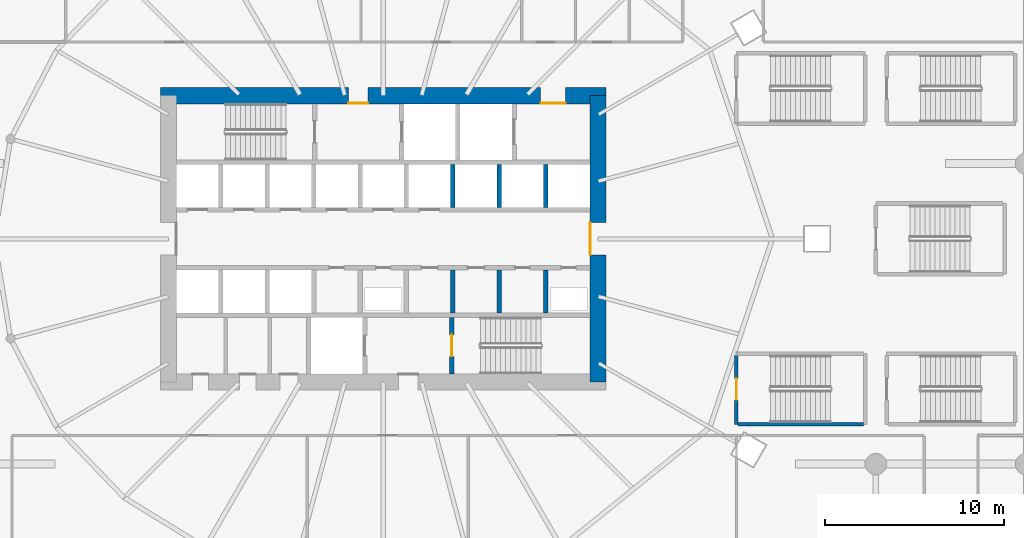
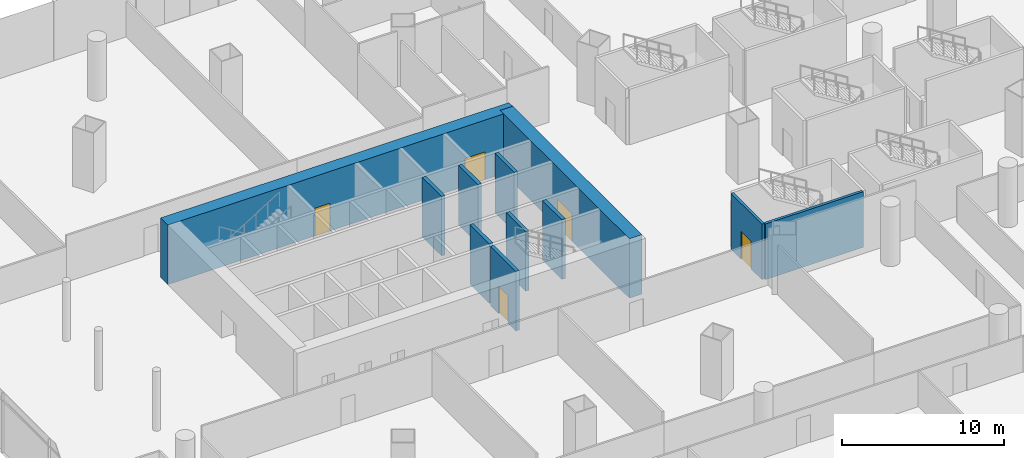
# One storey, part 28 of 43: 11 walls, 5 doors, 5 openings.
"""IFC4 building model written with IfcOpenShell, lengths in metres."""

from ifc_helpers import new_model, si_unit, direction, frame, frame_2d, origin, place, context, subcontext, project, spatial, rectangle, extrude, material, layer, layer_set, type_object, element, fill, save


model = new_model("IFC4")

# Units and contexts
model_context = context("Model", 3, precision=1e-05, world=origin(), true_north=direction((0.0, 1.0)))
body_context = subcontext(model_context, "Body", "Model", "MODEL_VIEW")
ifc_project = project(units=[si_unit("LENGTHUNIT", "METRE"), si_unit("AREAUNIT", "SQUARE_METRE"), si_unit("VOLUMEUNIT", "CUBIC_METRE"), si_unit("PLANEANGLEUNIT", "RADIAN"), si_unit("MASSUNIT", "GRAM", prefix="KILO")], contexts=[model_context])

# Site, building, storey
site_placement = place(None, origin())
site = spatial("IfcSite", under=ifc_project, at=site_placement, CompositionType="ELEMENT")
building_placement = place(site_placement, origin())
building = spatial("IfcBuilding", under=site, at=building_placement, Name="Rimbun Link Towers", CompositionType="ELEMENT")
storey_placement = place(building_placement, frame((0.0, 0.0, 12.0)))
storey = spatial("IfcBuildingStorey", under=building, at=storey_placement, Name="L02", CompositionType="ELEMENT", Elevation=12.0)

# Wall, openings, doors
ifc_material_1 = material(Name="Concrete C60/75", Category="concrete")
ifc_layer_1 = layer(ifc_material_1, 0.89990234375)
ifc_layer_set_1 = layer_set([ifc_layer_1], Name="Core shear wall 900")
wall_type_1 = type_object("IfcWallType", Name="Core shear wall 900", PredefinedType="SHEAR", material=ifc_layer_set_1)
wall_1_placement = place(storey_placement, frame((-44.199951171875, 8.0, 0.0), z_axis=(0.0, 0.0, 1.0), x_axis=(1.0, 0.0, 0.0)))
wall_1 = element("IfcWall", 1, at=wall_1_placement, inside=storey, type_object=wall_type_1, Name="L02 T1 core wall N", PredefinedType="SHEAR", context=body_context, shape_type="SweptSolid", body=[
    extrude(rectangle(XDim=24.89990234375, YDim=0.89990234375, at=frame_2d((12.449951171875, 0.0))), origin(), (0.0, 0.0, 1.0), 4.5),
])
opening_1_placement = place(wall_1_placement, frame((10.5, 0.0, 0.0)))
opening_1 = element("IfcOpeningElement", 2, at=opening_1_placement, cuts=wall_1, Name="Opening C1DCF01N", PredefinedType="OPENING", context=body_context, shape_type="SweptSolid", body=[
    extrude(rectangle(XDim=1.10009765625, YDim=2.10009765625, at=frame_2d((0.550048828125, 1.050048828125))), frame((0.0, 0.4599609375, 0.0), z_axis=(0.0, -1.0, 0.0), x_axis=(1.0, 0.0, 0.0)), (0.0, 0.0, 1.0), 0.919921875),
])
opening_2_placement = place(wall_1_placement, frame((21.25, 0.0, 0.0)))
opening_2 = element("IfcOpeningElement", 3, at=opening_2_placement, cuts=wall_1, Name="Opening C1DSL02N", PredefinedType="OPENING", context=body_context, shape_type="SweptSolid", body=[
    extrude(rectangle(XDim=1.39990234375, YDim=2.10009765625, at=frame_2d((0.699951171875, 1.050048828125))), frame((0.0, 0.4599609375, 0.0), z_axis=(0.0, -1.0, 0.0), x_axis=(1.0, 0.0, 0.0)), (0.0, 0.0, 1.0), 0.919921875),
])
ifc_material_2 = material(Name="Steel fire door set", Category="steel")
door_type_1 = type_object("IfcDoorType", Name="Core fire door single", OperationType="SINGLE_SWING_LEFT", PredefinedType="DOOR", material=ifc_material_2)
door_1_placement = place(opening_1_placement, origin())
door_1 = element("IfcDoor", 4, at=door_1_placement, inside=storey, type_object=door_type_1, Name="L02 T1 firefighting lobby n door", OperationType="SINGLE_SWING_LEFT", OverallHeight=2.10009765625, OverallWidth=1.10009765625, PredefinedType="DOOR", context=body_context, shape_type="SweptSolid", body=[
    extrude(rectangle(XDim=1.10009765625, YDim=2.10009765625, at=frame_2d((0.550048828125, 1.050048828125))), frame((0.0, -0.39990234375, 0.0), z_axis=(0.0, -1.0, 0.0), x_axis=(1.0, 0.0, 0.0)), (0.0, 0.0, 1.0), 0.050048828125),
])
fill(opening_1, door_1)
ifc_material_3 = material(Name="Steel fire door set", Category="steel")
door_type_2 = type_object("IfcDoorType", Name="Service lobby door double", OperationType="DOUBLE_DOOR_SINGLE_SWING", PredefinedType="DOOR", material=ifc_material_3)
door_2_placement = place(opening_2_placement, origin())
door_2 = element("IfcDoor", 5, at=door_2_placement, inside=storey, type_object=door_type_2, Name="L02 T1 service lobby door", OperationType="DOUBLE_DOOR_SINGLE_SWING", OverallHeight=2.10009765625, OverallWidth=1.39990234375, PredefinedType="DOOR", context=body_context, shape_type="SweptSolid", body=[
    extrude(rectangle(XDim=1.39990234375, YDim=2.10009765625, at=frame_2d((0.699951171875, 1.050048828125))), frame((0.0, -0.39990234375, 0.0), z_axis=(0.0, -1.0, 0.0), x_axis=(1.0, 0.0, 0.0)), (0.0, 0.0, 1.0), 0.050048828125),
])
fill(opening_2, door_2)

# Wall, opening, door
wall_2_placement = place(storey_placement, frame((-19.75, -8.0, 0.0), z_axis=(0.0, 0.0, 1.0), x_axis=(0.0, 1.0, 0.0)))
wall_2 = element("IfcWall", 6, at=wall_2_placement, inside=storey, type_object=wall_type_1, Name="L02 T1 core wall E", PredefinedType="SHEAR", context=body_context, shape_type="SweptSolid", body=[
    extrude(rectangle(XDim=16.0, YDim=0.89990234375, at=frame_2d((8.0, 0.0))), origin(), (0.0, 0.0, 1.0), 4.5),
])
opening_3_placement = place(wall_2_placement, frame((7.10009765625, 0.0, 0.0)))
opening_3 = element("IfcOpeningElement", 7, at=opening_3_placement, cuts=wall_2, Name="Opening C1DCL01E", PredefinedType="OPENING", context=body_context, shape_type="SweptSolid", body=[
    extrude(rectangle(XDim=1.800048828125, YDim=2.10009765625, at=frame_2d((0.89990234375, 1.050048828125))), frame((0.0, 0.4599609375, 0.0), z_axis=(0.0, -1.0, 0.0), x_axis=(1.0, 0.0, 0.0)), (0.0, 0.0, 1.0), 0.919921875),
])
ifc_material_4 = material(Name="Steel fire door set", Category="steel")
door_type_3 = type_object("IfcDoorType", Name="Core lobby door double", OperationType="DOUBLE_DOOR_SINGLE_SWING", PredefinedType="DOOR", material=ifc_material_4)
door_3_placement = place(opening_3_placement, origin())
door_3 = element("IfcDoor", 8, at=door_3_placement, inside=storey, type_object=door_type_3, Name="L02 T1 lift lobby door", OperationType="DOUBLE_DOOR_SINGLE_SWING", OverallHeight=2.10009765625, OverallWidth=1.800048828125, PredefinedType="DOOR", context=body_context, shape_type="SweptSolid", body=[
    extrude(rectangle(XDim=1.800048828125, YDim=2.10009765625, at=frame_2d((0.89990234375, 1.050048828125))), frame((0.0, 0.4501953125, 0.0), z_axis=(0.0, -1.0, 0.0), x_axis=(1.0, 0.0, 0.0)), (0.0, 0.0, 1.0), 0.050048828125),
])
fill(opening_3, door_3)

# Walls
ifc_material_5 = material(Name="Concrete C60/75", Category="concrete")
ifc_layer_2 = layer(ifc_material_5, 0.25)
ifc_layer_set_2 = layer_set([ifc_layer_2], Name="Shaft wall 250")
wall_type_2 = type_object("IfcWallType", Name="Shaft wall 250", PredefinedType="SHEAR", material=ifc_layer_set_2)
for number, where, z_axis, x_axis, name in (
    (9, (-27.8583984375, 1.75, 0.0), (0.0, 0.0, 1.0), (0.0, 1.0, 0.0), "L02 T1 core wall DN5"),
    (10, (-25.263916015625, 1.75, 0.0), (0.0, 0.0, 1.0), (0.0, 1.0, 0.0), "L02 T1 core wall DN6"),
    (11, (-22.66943359375, 1.75, 0.0), (0.0, 0.0, 1.0), (0.0, 1.0, 0.0), "L02 T1 core wall DN7"),
    (12, (-27.8583984375, -4.14990234375, 0.0), (0.0, 0.0, 1.0), (0.0, 1.0, 0.0), "L02 T1 core wall DS5"),
    (13, (-25.263916015625, -4.14990234375, 0.0), (0.0, 0.0, 1.0), (0.0, 1.0, 0.0), "L02 T1 core wall DS6"),
    (14, (-22.66943359375, -4.14990234375, 0.0), (0.0, 0.0, 1.0), (0.0, 1.0, 0.0), "L02 T1 core wall DS7"),
):
    element("IfcWall", number, at=place(storey_placement, frame(where, z_axis=z_axis, x_axis=x_axis)), inside=storey, type_object=wall_type_2, Name=name, PredefinedType="SHEAR", context=body_context, shape_type="SweptSolid", body=[
        extrude(rectangle(XDim=2.39990234375, YDim=0.25, at=frame_2d((1.199951171875, 0.0))), origin(), (0.0, 0.0, 1.0), 4.5),
    ])

# Wall, opening, door
wall_3_placement = place(storey_placement, frame((-27.925048828125, -4.39990234375, 0.0), z_axis=(0.0, 0.0, 1.0), x_axis=(0.0, -1.0, 0.0)))
wall_3 = element("IfcWall", 15, at=wall_3_placement, inside=storey, type_object=wall_type_2, Name="L02 T1 core wall B1", PredefinedType="SHEAR", context=body_context, shape_type="SweptSolid", body=[
    extrude(rectangle(XDim=3.150146484375, YDim=0.25, at=frame_2d((1.5751953125, 0.0))), origin(), (0.0, 0.0, 1.0), 4.5),
])
opening_4_placement = place(wall_3_placement, frame((0.97509765625, 0.0, 0.0)))
opening_4 = element("IfcOpeningElement", 16, at=opening_4_placement, cuts=wall_3, Name="Opening C1DST01B1", PredefinedType="OPENING", context=body_context, shape_type="SweptSolid", body=[
    extrude(rectangle(XDim=1.199951171875, YDim=2.10009765625, at=frame_2d((0.60009765625, 1.050048828125))), frame((0.0, 0.135009765625, 0.0), z_axis=(0.0, -1.0, 0.0), x_axis=(1.0, 0.0, 0.0)), (0.0, 0.0, 1.0), 0.27001953125),
])
ifc_material_6 = material(Name="Steel fire door set", Category="steel")
door_type_4 = type_object("IfcDoorType", Name="Stair door", OperationType="SINGLE_SWING_LEFT", PredefinedType="DOOR", material=ifc_material_6)
door_4_placement = place(opening_4_placement, origin())
door_4 = element("IfcDoor", 17, at=door_4_placement, inside=storey, type_object=door_type_4, Name="L02 T1 stair b door", OperationType="SINGLE_SWING_LEFT", OverallHeight=2.10009765625, OverallWidth=1.199951171875, PredefinedType="DOOR", context=body_context, shape_type="SweptSolid", body=[
    extrude(rectangle(XDim=1.199951171875, YDim=2.10009765625, at=frame_2d((0.60009765625, 1.050048828125))), frame((0.0, 0.02490234375, 0.0), z_axis=(0.0, -1.0, 0.0), x_axis=(1.0, 0.0, 0.0)), (0.0, 0.0, 1.0), 0.050048828125),
])
fill(opening_4, door_4)

ifc_material_7 = material(Name="Concrete C40/50", Category="concrete")
ifc_layer_3 = layer(ifc_material_7, 0.199951171875)
ifc_layer_set_3 = layer_set([ifc_layer_3], Name="Stair shaft wall 200")
wall_type_3 = type_object("IfcWallType", Name="Stair shaft wall 200", PredefinedType="SOLIDWALL", material=ifc_layer_set_3)
wall_4_placement = place(storey_placement, frame((-12.0, -6.52490234375, 0.0), z_axis=(0.0, 0.0, 1.0), x_axis=(0.0, -1.0, 0.0)))
wall_4 = element("IfcWall", 18, at=wall_4_placement, inside=storey, type_object=wall_type_3, Name="PD/PW/L02/003", PredefinedType="SOLIDWALL", context=body_context, shape_type="SweptSolid", body=[
    extrude(rectangle(XDim=3.85009765625, YDim=0.199951171875, at=frame_2d((1.925048828125, 0.0))), origin(), (0.0, 0.0, 1.0), 4.199951171875),
])
opening_5_placement = place(wall_4_placement, frame((1.27490234375, 0.0, 0.0)))
opening_5 = element("IfcOpeningElement", 19, at=opening_5_placement, cuts=wall_4, Name="Opening PD DS1", PredefinedType="OPENING", context=body_context, shape_type="SweptSolid", body=[
    extrude(rectangle(XDim=1.199951171875, YDim=2.10009765625, at=frame_2d((0.60009765625, 1.050048828125))), frame((0.0, 0.10986328125, 0.0), z_axis=(0.0, -1.0, 0.0), x_axis=(1.0, 0.0, 0.0)), (0.0, 0.0, 1.0), 0.219970703125),
])
door_5_placement = place(opening_5_placement, frame((1.199951171875, 0.0, 0.0), z_axis=(0.0, 0.0, 1.0), x_axis=(-1.0, 0.0, 0.0)))
door_5 = element("IfcDoor", 20, at=door_5_placement, inside=storey, type_object=door_type_4, Name="PD/DR/L02/S1", OperationType="SINGLE_SWING_LEFT", OverallHeight=2.10009765625, OverallWidth=1.199951171875, PredefinedType="DOOR", context=body_context, shape_type="SweptSolid", body=[
    extrude(rectangle(XDim=1.199951171875, YDim=2.10009765625, at=frame_2d((0.60009765625, 1.050048828125))), frame((0.0, 0.02490234375, 0.0), z_axis=(0.0, -1.0, 0.0), x_axis=(1.0, 0.0, 0.0)), (0.0, 0.0, 1.0), 0.050048828125),
])
fill(opening_5, door_5)

# Wall
wall_5_placement = place(storey_placement, frame((-11.89990234375, -10.375, 0.0), z_axis=(0.0, 0.0, 1.0), x_axis=(1.0, 0.0, 0.0)))
element("IfcWall", 21, at=wall_5_placement, inside=storey, type_object=wall_type_3, Name="PD/PW/L02/004", PredefinedType="SOLIDWALL", context=body_context, shape_type="SweptSolid", body=[
    extrude(rectangle(XDim=7.0, YDim=0.199951171875, at=frame_2d((3.5, 0.0))), origin(), (0.0, 0.0, 1.0), 4.199951171875),
])

save(model, "model.ifc")
